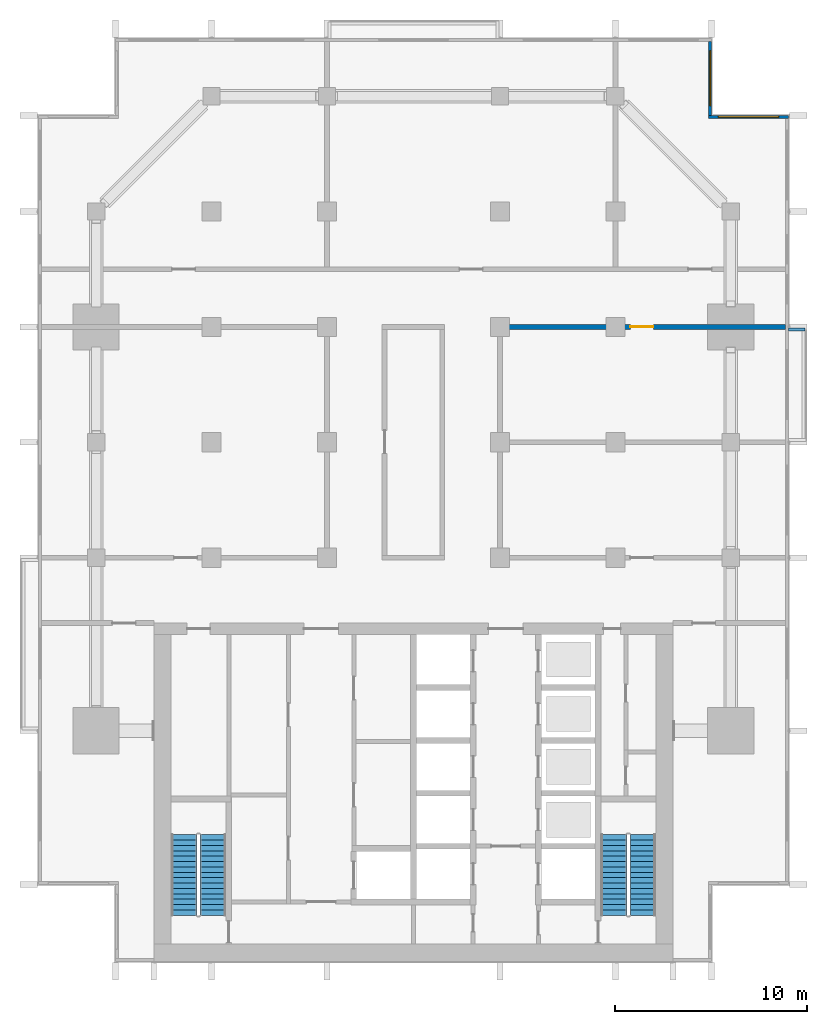
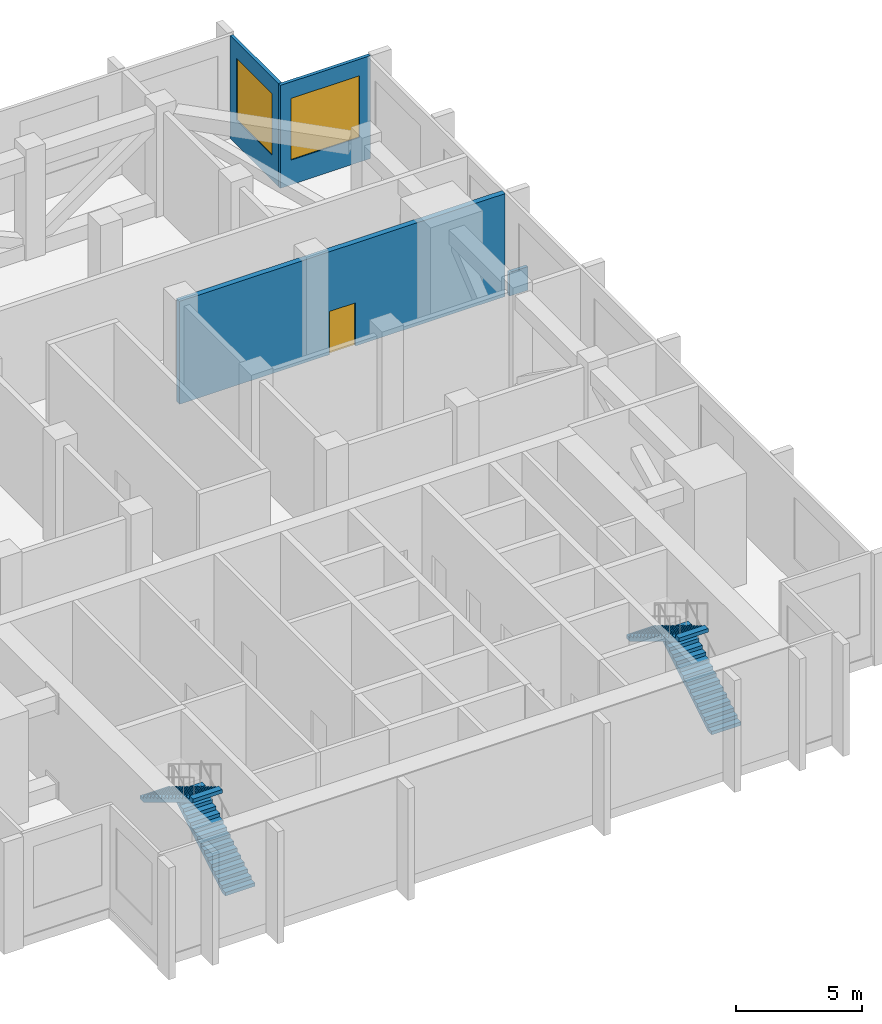
# One storey, part 5 of 11: 4 stair flights, 4 walls, 2 windows, 1 door, 3 openings, 2 elements without a shape of their own.
"""IFC4 building model written with IfcOpenShell, lengths in metres."""

from ifc_helpers import new_model, si_unit, direction, frame, frame_2d, origin, place, context, subcontext, project, spatial, polyline, rectangle, outline, extrude, material, layer, layer_set, type_object, element, fill, aggregate, save


model = new_model("IFC4")

# Units and contexts
model_context = context("Model", 3, precision=1e-05, world=origin(), true_north=direction((0.0, 1.0)))
body_context = subcontext(model_context, "Body", "Model", "MODEL_VIEW")
ifc_project = project(units=[si_unit("LENGTHUNIT", "METRE"), si_unit("AREAUNIT", "SQUARE_METRE"), si_unit("VOLUMEUNIT", "CUBIC_METRE"), si_unit("PLANEANGLEUNIT", "RADIAN"), si_unit("MASSUNIT", "GRAM", prefix="KILO")], contexts=[model_context])

# Site, building, storey
site_placement = place(None, origin())
site = spatial("IfcSite", under=ifc_project, at=site_placement, CompositionType="ELEMENT")
building_placement = place(site_placement, origin())
building = spatial("IfcBuilding", under=site, at=building_placement, Name="Finial Court Residences", CompositionType="ELEMENT")
storey_placement = place(building_placement, frame((0.0, 0.0, 199.699951171875)))
storey = spatial("IfcBuildingStorey", under=building, at=storey_placement, Name="L50", CompositionType="ELEMENT", Elevation=199.699951171875)

# Wall
ifc_material_1 = material(Name="Concrete C35/45", Category="concrete")
ifc_layer_1 = layer(ifc_material_1, 0.14990234375)
ifc_layer_set_1 = layer_set([ifc_layer_1], Name="Ledge parapet, Concrete C35/45 150")
wall_type_1 = type_object("IfcWallType", Name="Ledge parapet, Concrete C35/45 150", PredefinedType="PARAPET", material=ifc_layer_set_1)
wall_1_placement = place(storey_placement, frame((19.510009765625, 7.375, 0.0), z_axis=(0.0, 0.0, 1.0), x_axis=(1.0, 0.0, 0.0)))
element("IfcWall", 1, at=wall_1_placement, inside=storey, type_object=wall_type_1, Name="E-L50-LED2-P2", PredefinedType="PARAPET", context=body_context, shape_type="SweptSolid", body=[
    extrude(rectangle(XDim=0.840087890625, YDim=0.14990234375, at=frame_2d((0.419921875, 0.0))), origin(), (0.0, 0.0, 1.0), 1.150146484375),
])

# Wall, opening, door
ifc_material_2 = material(Name="Fire-rated board")
ifc_layer_2 = layer(ifc_material_2, 0.050048828125)
ifc_material_3 = material(Name="Mineral wool in double frame")
ifc_layer_3 = layer(ifc_material_3, 0.14990234375)
ifc_layer_4 = layer(ifc_material_2, 0.050048828125)
ifc_layer_set_2 = layer_set([ifc_layer_2, ifc_layer_3, ifc_layer_4], Name="Plant room wall 250, 2 hour")
wall_type_2 = type_object("IfcWallType", Name="Plant room wall 250, 2 hour", PredefinedType="PARTITIONING", material=ifc_layer_set_2)
wall_2_placement = place(storey_placement, frame((4.375, 7.5, 0.0), z_axis=(0.0, 0.0, 1.0), x_axis=(1.0, 0.0, 0.0)))
wall_2 = element("IfcWall", 2, at=wall_2_placement, inside=storey, type_object=wall_type_2, Name="Partition L50-008", PredefinedType="PARTITIONING", context=body_context, shape_type="SweptSolid", body=[
    extrude(rectangle(XDim=14.97509765625, YDim=0.25, at=frame_2d((7.487548828125, 0.0))), origin(), (0.0, 0.0, 1.0), 5.0),
])
opening_1_placement = place(wall_2_placement, frame((6.89990234375, 0.0, 0.0)))
opening_1 = element("IfcOpeningElement", 3, at=opening_1_placement, cuts=wall_2, Name="Opening L50-D005", PredefinedType="OPENING", context=body_context, shape_type="SweptSolid", body=[
    extrude(rectangle(XDim=1.199951171875, YDim=2.10009765625, at=frame_2d((0.60009765625, 1.050048828125))), frame((0.0, 0.135009765625, 0.0), z_axis=(0.0, -1.0, 0.0), x_axis=(1.0, 0.0, 0.0)), (0.0, 0.0, 1.0), 0.27001953125),
])
ifc_material_4 = material(Name="Timber door leaf in hollow metal frame", Category="wood")
door_type = type_object("IfcDoorType", Name="Fire door set 1200 x 2100, 60 minutes", OperationType="SINGLE_SWING_LEFT", PredefinedType="DOOR", material=ifc_material_4)
door_placement = place(opening_1_placement, origin())
door = element("IfcDoor", 4, at=door_placement, inside=storey, type_object=door_type, Name="Door L50-D005", OperationType="SINGLE_SWING_LEFT", OverallHeight=2.10009765625, OverallWidth=1.199951171875, PredefinedType="DOOR", context=body_context, shape_type="SweptSolid", body=[
    extrude(rectangle(XDim=1.199951171875, YDim=2.10009765625, at=frame_2d((0.60009765625, 1.050048828125))), frame((0.0, 0.02490234375, 0.0), z_axis=(0.0, -1.0, 0.0), x_axis=(1.0, 0.0, 0.0)), (0.0, 0.0, 1.0), 0.050048828125),
])
fill(opening_1, door)

# Wall, opening, window
ifc_material_5 = material(Name="Natural limestone", Category="masonry")
ifc_layer_5 = layer(ifc_material_5, 0.14990234375)
ifc_layer_set_3 = layer_set([ifc_layer_5], Name="Plant storey wall, limestone clad 150")
wall_type_3 = type_object("IfcWallType", Name="Plant storey wall, limestone clad 150", PredefinedType="SOLIDWALL", material=ifc_layer_set_3)
wall_3_placement = place(storey_placement, frame((15.425048828125, 22.35009765625, 0.0), z_axis=(0.0, 0.0, 1.0), x_axis=(0.0, -1.0, 0.0)))
wall_3 = element("IfcWall", 5, at=wall_3_placement, inside=storey, type_object=wall_type_3, Name="E-L50-PWE12", PredefinedType="SOLIDWALL", context=body_context, shape_type="SweptSolid", body=[
    extrude(rectangle(XDim=3.85009765625, YDim=0.14990234375, at=frame_2d((1.925048828125, 0.0))), origin(), (0.0, 0.0, 1.0), 5.0),
])
opening_2_placement = place(wall_3_placement, frame((0.5, 0.0, 1.199951171875)))
opening_2 = element("IfcOpeningElement", 6, at=opening_2_placement, cuts=wall_3, Name="Opening WE50-26", PredefinedType="OPENING", context=body_context, shape_type="SweptSolid", body=[
    extrude(rectangle(XDim=2.85009765625, YDim=3.0, at=frame_2d((1.425048828125, 1.5))), frame((0.0, 0.0849609375, 0.0), z_axis=(0.0, -1.0, 0.0), x_axis=(1.0, 0.0, 0.0)), (0.0, 0.0, 1.0), 0.169921875),
])
ifc_material_6 = material(Name="Bronze anodised aluminium", Category="aluminium")
window_type_1 = type_object("IfcWindowType", Name="Plant louvre 2850 x 3000", PartitioningType="SINGLE_PANEL", PredefinedType="WINDOW", material=ifc_material_6)
window_1_placement = place(opening_2_placement, origin())
window_1 = element("IfcWindow", 7, at=window_1_placement, inside=storey, type_object=window_type_1, Name="E-L50-PWE12-W1", OverallHeight=3.0, OverallWidth=2.85009765625, PartitioningType="SINGLE_PANEL", PredefinedType="WINDOW", context=body_context, shape_type="SweptSolid", body=[
    extrude(rectangle(XDim=2.85009765625, YDim=3.0, at=frame_2d((1.425048828125, 1.5))), frame((0.0, 0.030029296875, 0.0), z_axis=(0.0, -1.0, 0.0), x_axis=(1.0, 0.0, 0.0)), (0.0, 0.0, 1.0), 0.06005859375),
])
fill(opening_2, window_1)

wall_4_placement = place(storey_placement, frame((15.35009765625, 18.425048828125, 0.0), z_axis=(0.0, 0.0, 1.0), x_axis=(1.0, 0.0, 0.0)))
wall_4 = element("IfcWall", 8, at=wall_4_placement, inside=storey, type_object=wall_type_3, Name="E-L50-PWN13", PredefinedType="SOLIDWALL", context=body_context, shape_type="SweptSolid", body=[
    extrude(rectangle(XDim=4.14990234375, YDim=0.14990234375, at=frame_2d((2.074951171875, 0.0))), origin(), (0.0, 0.0, 1.0), 5.0),
])
opening_3_placement = place(wall_4_placement, frame((0.5, 0.0, 1.199951171875)))
opening_3 = element("IfcOpeningElement", 9, at=opening_3_placement, cuts=wall_4, Name="Opening WE50-27", PredefinedType="OPENING", context=body_context, shape_type="SweptSolid", body=[
    extrude(rectangle(XDim=3.14990234375, YDim=3.0, at=frame_2d((1.574951171875, 1.5))), frame((0.0, 0.0849609375, 0.0), z_axis=(0.0, -1.0, 0.0), x_axis=(1.0, 0.0, 0.0)), (0.0, 0.0, 1.0), 0.169921875),
])
window_type_2 = type_object("IfcWindowType", Name="Plant louvre 3150 x 3000", PartitioningType="SINGLE_PANEL", PredefinedType="WINDOW", material=ifc_material_6)
window_2_placement = place(opening_3_placement, origin())
window_2 = element("IfcWindow", 10, at=window_2_placement, inside=storey, type_object=window_type_2, Name="E-L50-PWN13-W1", OverallHeight=3.0, OverallWidth=3.14990234375, PartitioningType="SINGLE_PANEL", PredefinedType="WINDOW", context=body_context, shape_type="SweptSolid", body=[
    extrude(rectangle(XDim=3.14990234375, YDim=3.0, at=frame_2d((1.574951171875, 1.5))), frame((0.0, 0.030029296875, 0.0), z_axis=(0.0, -1.0, 0.0), x_axis=(1.0, 0.0, 0.0)), (0.0, 0.0, 1.0), 0.06005859375),
])
fill(opening_3, window_2)

# Stair, stair flights
ifc_material_7 = material(Name="Concrete C50/60", Category="concrete")
stair_type = type_object("IfcStairType", Name="Exit stair 32 risers of 168.8 mm", PredefinedType="HALF_TURN_STAIR", material=ifc_material_7)
stair_1_placement = place(storey_placement, origin())
stair_1 = element("IfcStair", 11, at=stair_1_placement, inside=storey, type_object=stair_type, Name="L50 Exit stair ST-1", PredefinedType="HALF_TURN_STAIR")
stair_flight_type = type_object("IfcStairFlightType", Name="Exit stair flight", PredefinedType="STRAIGHT", material=ifc_material_7)
stair_flight_1_placement = place(storey_placement, frame((-10.425048828125, -23.10009765625, 0.0), z_axis=(0.0, 0.0, 1.0), x_axis=(0.0, 1.0, 0.0)))
stair_flight_1 = element("IfcStairFlight", 12, at=stair_flight_1_placement, type_object=stair_flight_type, Name="ST-1 flight 1", NumberOfRisers=16, NumberOfTreads=15, PredefinedType="STRAIGHT", RiserHeight=0.16875, TreadLength=0.28, context=body_context, shape_type="SweptSolid", body=[
    extrude(outline(polyline([(0.0, 0.0), (0.0, 0.168701171875), (0.280029296875, 0.168701171875), (0.280029296875, 0.33740234375), (0.56005859375, 0.33740234375), (0.56005859375, 0.50634765625), (0.840087890625, 0.50634765625), (0.840087890625, 0.675048828125), (1.1201171875, 0.675048828125), (1.1201171875, 0.84375), (1.39990234375, 0.84375), (1.39990234375, 1.012451171875), (1.679931640625, 1.012451171875), (1.679931640625, 1.18115234375), (1.9599609375, 1.18115234375), (1.9599609375, 1.35009765625), (2.239990234375, 1.35009765625), (2.239990234375, 1.518798828125), (2.52001953125, 1.518798828125), (2.52001953125, 1.6875), (2.800048828125, 1.6875), (2.800048828125, 1.856201171875), (3.080078125, 1.856201171875), (3.080078125, 2.02490234375), (3.360107421875, 2.02490234375), (3.360107421875, 2.19384765625), (3.639892578125, 2.19384765625), (3.639892578125, 2.362548828125), (3.919921875, 2.362548828125), (3.919921875, 2.53125), (4.199951171875, 2.53125), (4.199951171875, 2.699951171875), (4.199951171875, 2.356201171875), (0.29052734375, 0.0), (0.0, 0.0)])), frame((0.0, 0.675048828125, 0.0), z_axis=(0.0, -1.0, 0.0), x_axis=(1.0, 0.0, 0.0)), (0.0, 0.0, 1.0), 1.35009765625),
])
stair_flight_2_placement = place(storey_placement, frame((-11.925048828125, -18.89990234375, 2.699951171875), z_axis=(0.0, 0.0, 1.0), x_axis=(0.0, -1.0, 0.0)))
stair_flight_2 = element("IfcStairFlight", 13, at=stair_flight_2_placement, type_object=stair_flight_type, Name="ST-1 flight 2", NumberOfRisers=16, NumberOfTreads=15, PredefinedType="STRAIGHT", RiserHeight=0.16875, TreadLength=0.28, context=body_context, shape_type="SweptSolid", body=[
    extrude(outline(polyline([(0.0, 0.0), (0.0, 0.168701171875), (0.280029296875, 0.168701171875), (0.280029296875, 0.33740234375), (0.56005859375, 0.33740234375), (0.56005859375, 0.50634765625), (0.840087890625, 0.50634765625), (0.840087890625, 0.675048828125), (1.1201171875, 0.675048828125), (1.1201171875, 0.84375), (1.39990234375, 0.84375), (1.39990234375, 1.012451171875), (1.679931640625, 1.012451171875), (1.679931640625, 1.18115234375), (1.9599609375, 1.18115234375), (1.9599609375, 1.35009765625), (2.239990234375, 1.35009765625), (2.239990234375, 1.518798828125), (2.52001953125, 1.518798828125), (2.52001953125, 1.6875), (2.800048828125, 1.6875), (2.800048828125, 1.856201171875), (3.080078125, 1.856201171875), (3.080078125, 2.02490234375), (3.360107421875, 2.02490234375), (3.360107421875, 2.19384765625), (3.639892578125, 2.19384765625), (3.639892578125, 2.362548828125), (3.919921875, 2.362548828125), (3.919921875, 2.53125), (4.199951171875, 2.53125), (4.199951171875, 2.699951171875), (4.199951171875, 2.356201171875), (0.29052734375, 0.0), (0.0, 0.0)])), frame((0.0, 0.675048828125, 0.0), z_axis=(0.0, -1.0, 0.0), x_axis=(1.0, 0.0, 0.0)), (0.0, 0.0, 1.0), 1.35009765625),
])
aggregate(stair_1, [stair_flight_1, stair_flight_2])

stair_2_placement = place(storey_placement, origin())
stair_2 = element("IfcStair", 14, at=stair_2_placement, inside=storey, type_object=stair_type, Name="L50 Exit stair ST-2", PredefinedType="HALF_TURN_STAIR")
stair_flight_3_placement = place(storey_placement, frame((11.925048828125, -23.10009765625, 0.0), z_axis=(0.0, 0.0, 1.0), x_axis=(0.0, 1.0, 0.0)))
stair_flight_3 = element("IfcStairFlight", 15, at=stair_flight_3_placement, type_object=stair_flight_type, Name="ST-2 flight 1", NumberOfRisers=16, NumberOfTreads=15, PredefinedType="STRAIGHT", RiserHeight=0.16875, TreadLength=0.28, context=body_context, shape_type="SweptSolid", body=[
    extrude(outline(polyline([(0.0, 0.0), (0.0, 0.168701171875), (0.280029296875, 0.168701171875), (0.280029296875, 0.33740234375), (0.56005859375, 0.33740234375), (0.56005859375, 0.50634765625), (0.840087890625, 0.50634765625), (0.840087890625, 0.675048828125), (1.1201171875, 0.675048828125), (1.1201171875, 0.84375), (1.39990234375, 0.84375), (1.39990234375, 1.012451171875), (1.679931640625, 1.012451171875), (1.679931640625, 1.18115234375), (1.9599609375, 1.18115234375), (1.9599609375, 1.35009765625), (2.239990234375, 1.35009765625), (2.239990234375, 1.518798828125), (2.52001953125, 1.518798828125), (2.52001953125, 1.6875), (2.800048828125, 1.6875), (2.800048828125, 1.856201171875), (3.080078125, 1.856201171875), (3.080078125, 2.02490234375), (3.360107421875, 2.02490234375), (3.360107421875, 2.19384765625), (3.639892578125, 2.19384765625), (3.639892578125, 2.362548828125), (3.919921875, 2.362548828125), (3.919921875, 2.53125), (4.199951171875, 2.53125), (4.199951171875, 2.699951171875), (4.199951171875, 2.356201171875), (0.29052734375, 0.0), (0.0, 0.0)])), frame((0.0, 0.675048828125, 0.0), z_axis=(0.0, -1.0, 0.0), x_axis=(1.0, 0.0, 0.0)), (0.0, 0.0, 1.0), 1.35009765625),
])
stair_flight_4_placement = place(storey_placement, frame((10.425048828125, -18.89990234375, 2.699951171875), z_axis=(0.0, 0.0, 1.0), x_axis=(0.0, -1.0, 0.0)))
stair_flight_4 = element("IfcStairFlight", 16, at=stair_flight_4_placement, type_object=stair_flight_type, Name="ST-2 flight 2", NumberOfRisers=16, NumberOfTreads=15, PredefinedType="STRAIGHT", RiserHeight=0.16875, TreadLength=0.28, context=body_context, shape_type="SweptSolid", body=[
    extrude(outline(polyline([(0.0, 0.0), (0.0, 0.168701171875), (0.280029296875, 0.168701171875), (0.280029296875, 0.33740234375), (0.56005859375, 0.33740234375), (0.56005859375, 0.50634765625), (0.840087890625, 0.50634765625), (0.840087890625, 0.675048828125), (1.1201171875, 0.675048828125), (1.1201171875, 0.84375), (1.39990234375, 0.84375), (1.39990234375, 1.012451171875), (1.679931640625, 1.012451171875), (1.679931640625, 1.18115234375), (1.9599609375, 1.18115234375), (1.9599609375, 1.35009765625), (2.239990234375, 1.35009765625), (2.239990234375, 1.518798828125), (2.52001953125, 1.518798828125), (2.52001953125, 1.6875), (2.800048828125, 1.6875), (2.800048828125, 1.856201171875), (3.080078125, 1.856201171875), (3.080078125, 2.02490234375), (3.360107421875, 2.02490234375), (3.360107421875, 2.19384765625), (3.639892578125, 2.19384765625), (3.639892578125, 2.362548828125), (3.919921875, 2.362548828125), (3.919921875, 2.53125), (4.199951171875, 2.53125), (4.199951171875, 2.699951171875), (4.199951171875, 2.356201171875), (0.29052734375, 0.0), (0.0, 0.0)])), frame((0.0, 0.675048828125, 0.0), z_axis=(0.0, -1.0, 0.0), x_axis=(1.0, 0.0, 0.0)), (0.0, 0.0, 1.0), 1.35009765625),
])
aggregate(stair_2, [stair_flight_3, stair_flight_4])

save(model, "model.ifc")
